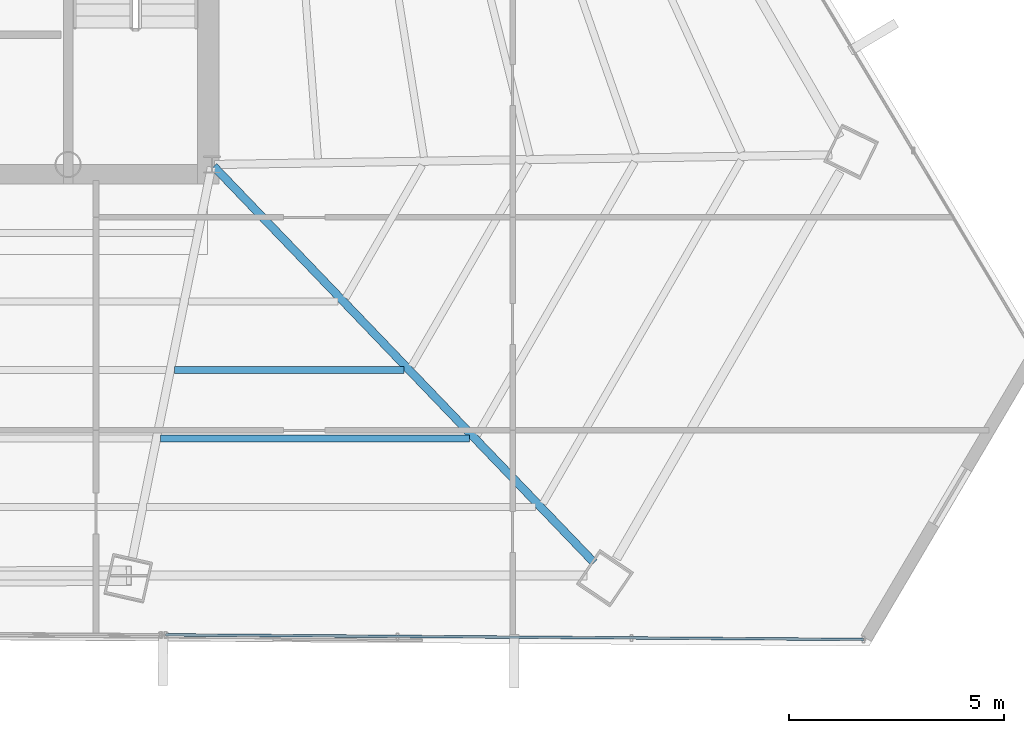
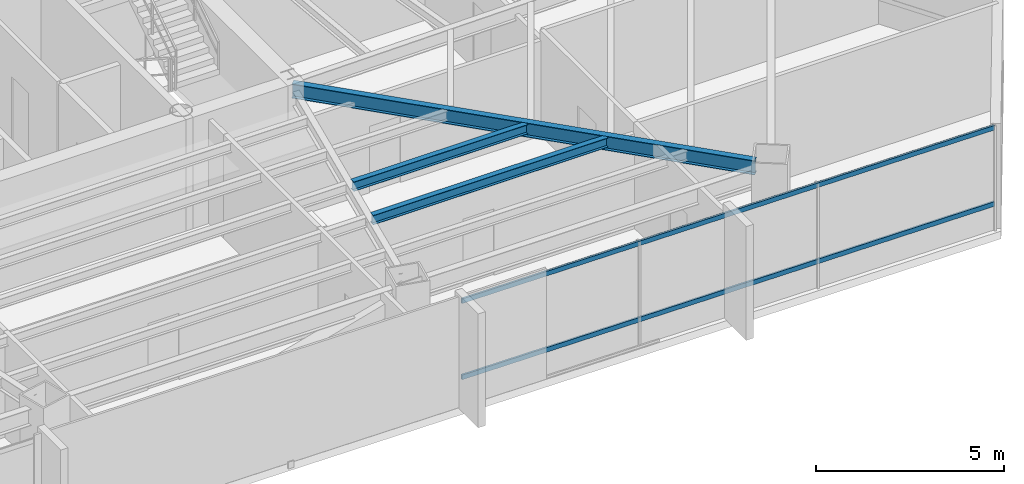
# One storey, part 17 of 40: 3 beams, 2 members, 1 element without a shape of its own.
"""IFC4 building model written with IfcOpenShell, lengths in metres."""

from ifc_helpers import new_model, si_unit, direction, frame, origin, origin_2d, place, context, subcontext, project, spatial, hollow_rectangle, i_section, extrude, source, transform, mapped, material, material_profile, profile_set, type_object, type_shapes, element, aggregate, save


model = new_model("IFC4")

# Units and contexts
model_context = context("Model", 3, precision=1e-05, world=origin(), true_north=direction((0.0, 1.0)))
body_context = subcontext(model_context, "Body", "Model", "MODEL_VIEW")
ifc_project = project(units=[si_unit("LENGTHUNIT", "METRE"), si_unit("AREAUNIT", "SQUARE_METRE"), si_unit("VOLUMEUNIT", "CUBIC_METRE"), si_unit("PLANEANGLEUNIT", "RADIAN"), si_unit("MASSUNIT", "GRAM", prefix="KILO")], contexts=[model_context])

# Site, building, storey
site_placement = place(None, origin())
site = spatial("IfcSite", under=ifc_project, at=site_placement, CompositionType="ELEMENT")
building_placement = place(site_placement, origin())
building = spatial("IfcBuilding", under=site, at=building_placement, Name="Caelisora Broadcast Tower", CompositionType="ELEMENT")
storey_placement = place(building_placement, frame((0.0, 0.0, 176.75)))
storey = spatial("IfcBuildingStorey", under=building, at=storey_placement, Name="L46", CompositionType="ELEMENT", Elevation=176.75)

# Beams
ifc_material_1 = material(Name="Steel Grade 350 (AS/NZS 3679.1)", Category="steel")
ifc_material_profile_1 = material_profile(ifc_material_1, i_section(OverallWidth=0.19091796875, OverallDepth=0.46044921875, WebThickness=0.010009765625, FlangeThickness=0.01611328125, at=origin_2d()), Name="Steel Grade 350 (AS/NZS 3679.1)")
ifc_profile_set_1 = profile_set([ifc_material_profile_1], Name="Steel Grade 350 (AS/NZS 3679.1)")
beam_type_1 = type_object("IfcBeamType", Name="PG06", PredefinedType="BEAM", material=ifc_profile_set_1)
shared_shape_1 = source(origin(), body_context, "Body", "SweptSolid", [
    extrude(i_section(OverallWidth=0.19091796875, OverallDepth=0.46044921875, WebThickness=0.010009765625, FlangeThickness=0.01611328125, at=origin_2d()), origin(), (0.0, 0.0, 1.0), 12.790771484375),
])
type_shapes(beam_type_1, [shared_shape_1])
beam_1_placement = place(storey_placement, frame((45.54150390625, 17.356689453125, 3.169921875), z_axis=(0.692529444246, -0.721389609609, 0.0), x_axis=(0.721389609609, 0.692529444246, 0.0)))
element("IfcBeam", 1, at=beam_1_placement, inside=storey, type_object=beam_type_1, Name="L46 beam PG06", PredefinedType="BEAM", context=body_context, shape_type="MappedRepresentation", body=[
    mapped(shared_shape_1, transform((0.0, 0.0, 0.0), scale=1.0)),
])
ifc_material_profile_2 = material_profile(ifc_material_1, i_section(OverallWidth=0.166015625, OverallDepth=0.30712890625, WebThickness=0.006591796875, FlangeThickness=0.01171875, at=origin_2d()), Name="Steel Grade 350 (AS/NZS 3679.1)")
ifc_profile_set_2 = profile_set([ifc_material_profile_2], Name="Steel Grade 350 (AS/NZS 3679.1)")
beam_type_2 = type_object("IfcBeamType", Name="SB03", PredefinedType="JOIST", material=ifc_profile_set_2)
shared_shape_2 = source(origin(), body_context, "Body", "SweptSolid", [
    extrude(i_section(OverallWidth=0.166015625, OverallDepth=0.30712890625, WebThickness=0.006591796875, FlangeThickness=0.01171875, at=origin_2d()), origin(), (0.0, 0.0, 1.0), 5.339599609375),
])
beam_2_placement = place(storey_placement, frame((44.626220703125, 12.61328125, 3.246337890625), z_axis=(1.0, 0.0, 0.0), x_axis=(0.0, 1.0, 0.0)))
element("IfcBeam", 2, at=beam_2_placement, inside=storey, type_object=beam_type_2, Name="L46 beam SB03", PredefinedType="JOIST", context=body_context, shape_type="MappedRepresentation", body=[
    mapped(shared_shape_2, transform((0.0, 0.0, 0.0), scale=1.0)),
])
shared_shape_3 = source(origin(), body_context, "Body", "SweptSolid", [
    extrude(i_section(OverallWidth=0.166015625, OverallDepth=0.30712890625, WebThickness=0.006591796875, FlangeThickness=0.01171875, at=origin_2d()), origin(), (0.0, 0.0, 1.0), 7.1943359375),
])
type_shapes(beam_type_2, [shared_shape_2, shared_shape_3])
beam_3_placement = place(storey_placement, frame((44.30322265625, 11.017578125, 3.246337890625), z_axis=(1.0, 0.0, 0.0), x_axis=(0.0, 1.0, 0.0)))
element("IfcBeam", 3, at=beam_3_placement, inside=storey, type_object=beam_type_2, Name="L46 beam SB03", PredefinedType="JOIST", context=body_context, shape_type="MappedRepresentation", body=[
    mapped(shared_shape_3, transform((0.0, 0.0, 0.0), scale=1.0)),
])

# Curtain wall, members
ifc_material_2 = material(Name="Unitised Aluminium and Low-E Glass Curtain Wall", Category="glass")
curtain_wall_type = type_object("IfcCurtainWallType", Name="CW-Z3", PredefinedType="NOTDEFINED", material=ifc_material_2)
curtain_wall_placement = place(storey_placement, origin())
curtain_wall = element("IfcCurtainWall", 4, at=curtain_wall_placement, inside=storey, type_object=curtain_wall_type, Name="L46 curtain wall CW-Z3", PredefinedType="NOTDEFINED")
ifc_material_3 = material(Name="Aluminium 6063-T6 Anodised Terracotta Bronze", Category="aluminium")
ifc_material_profile_3 = material_profile(ifc_material_3, hollow_rectangle(XDim=0.06005859375, YDim=0.14990234375, WallThickness=0.00341796875, at=origin_2d()), Name="Aluminium 6063-T6 Anodised Terracotta Bronze")
ifc_profile_set_3 = profile_set([ifc_material_profile_3], Name="Aluminium 6063-T6 Anodised Terracotta Bronze")
member_type = type_object("IfcMemberType", Name="CWT-02", PredefinedType="USERDEFINED", material=ifc_profile_set_3)
shared_shape_4 = source(origin(), body_context, "Body", "SweptSolid", [
    extrude(hollow_rectangle(XDim=0.06005859375, YDim=0.14990234375, WallThickness=0.00341796875, at=origin_2d()), origin(), (0.0, 0.0, 1.0), 16.250732421875),
])
type_shapes(member_type, [shared_shape_4])
member_1_placement = place(storey_placement, frame((60.6689453125, 6.34130859375, 0.85009765625), z_axis=(-0.999977953104, 0.006640279067, 0.0), x_axis=(-0.006640279067, -0.999977953104, 0.0)))
member_1 = element("IfcMember", 5, at=member_1_placement, type_object=member_type, Name="L46-CW-B05 transom #1", ObjectType="TRANSOM", PredefinedType="USERDEFINED", context=body_context, shape_type="MappedRepresentation", body=[
    mapped(shared_shape_4, transform((0.0, 0.0, 0.0), scale=1.0)),
])
member_2_placement = place(storey_placement, frame((60.6689453125, 6.34130859375, 3.320068359375), z_axis=(-0.999977953104, 0.006640279067, 0.0), x_axis=(-0.006640279067, -0.999977953104, 0.0)))
member_2 = element("IfcMember", 6, at=member_2_placement, type_object=member_type, Name="L46-CW-B05 transom #2", ObjectType="TRANSOM", PredefinedType="USERDEFINED", context=body_context, shape_type="MappedRepresentation", body=[
    mapped(shared_shape_4, transform((0.0, 0.0, 0.0), scale=1.0)),
])
aggregate(curtain_wall, [member_1, member_2])

save(model, "model.ifc")
